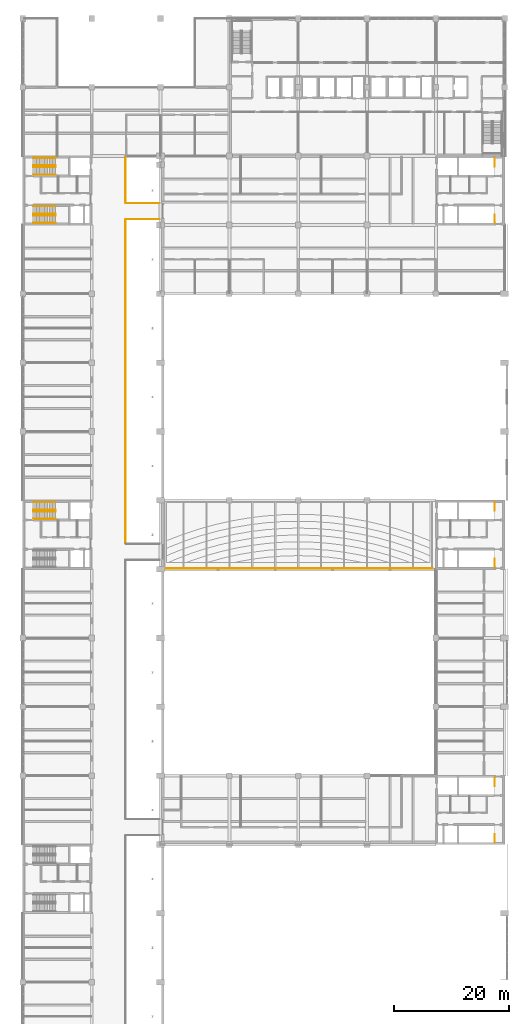
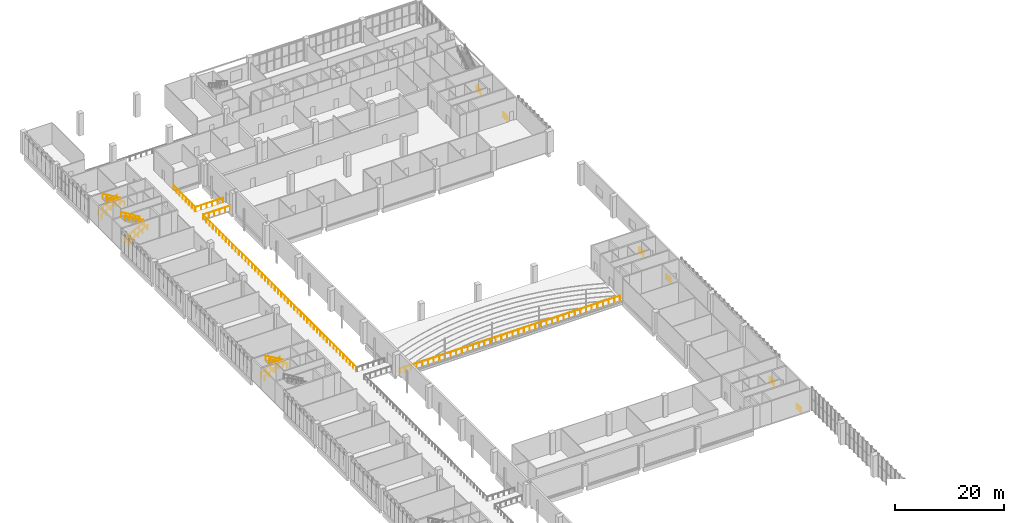
# One storey, part 68 of 69: 23 railings.
"""IFC4 building model written with IfcOpenShell, lengths in metres."""

from ifc_helpers import new_model, si_unit, direction, frame, origin, origin_2d, place, context, subcontext, project, spatial, circle, extrude, material, constituent, constituent_set, type_object, element, save


model = new_model("IFC4")

# Units and contexts
model_context = context("Model", 3, precision=1e-05, world=origin(), true_north=direction((0.0, 1.0)))
body_context = subcontext(model_context, "Body", "Model", "MODEL_VIEW")
ifc_project = project(units=[si_unit("LENGTHUNIT", "METRE"), si_unit("AREAUNIT", "SQUARE_METRE"), si_unit("VOLUMEUNIT", "CUBIC_METRE"), si_unit("PLANEANGLEUNIT", "RADIAN"), si_unit("MASSUNIT", "GRAM", prefix="KILO")], contexts=[model_context])

# Site, building, storey
site_placement = place(None, origin())
site = spatial("IfcSite", under=ifc_project, at=site_placement, CompositionType="ELEMENT")
building_placement = place(site_placement, origin())
building = spatial("IfcBuilding", under=site, at=building_placement, Name="Lilac Gate Convention Centre", CompositionType="ELEMENT")
storey_placement = place(building_placement, frame((0.0, 0.0, 12.0)))
storey = spatial("IfcBuildingStorey", under=building, at=storey_placement, Name="L02", CompositionType="ELEMENT", Elevation=12.0)

# Railings
ifc_material_1 = material(Name="Steel Q355B", Category="steel")
railing_type_1 = type_object("IfcRailingType", Name="Balcony guard 1100", PredefinedType="GUARDRAIL", material=ifc_material_1)
railing_1_placement = place(storey_placement, frame((30.60009765625, 150.10009765625, 0.0)))
element("IfcRailing", 1, at=railing_1_placement, inside=storey, type_object=railing_type_1, Name="GD2 L02 balcony front guard", PredefinedType="GUARDRAIL", context=body_context, shape_type="SweptSolid", body=[
    extrude(circle(Radius=0.02392578125, at=origin_2d()), frame((0.0, 0.0, 1.076171875), z_axis=(1.0, 0.0, 0.0), x_axis=(0.0, 1.0, 0.0)), (0.0, 0.0, 1.0), 46.7998046875),
    extrude(circle(Radius=0.02099609375, at=origin_2d()), origin(), (0.0, 0.0, 1.0), 1.052001953125),
    extrude(circle(Radius=0.02099609375, at=origin_2d()), frame((1.199951171875, 0.0, 0.0)), (0.0, 0.0, 1.0), 1.052001953125),
    extrude(circle(Radius=0.02099609375, at=origin_2d()), frame((2.39990234375, 0.0, 0.0)), (0.0, 0.0, 1.0), 1.052001953125),
    extrude(circle(Radius=0.02099609375, at=origin_2d()), frame((3.60009765625, 0.0, 0.0)), (0.0, 0.0, 1.0), 1.052001953125),
    extrude(circle(Radius=0.02099609375, at=origin_2d()), frame((4.800048828125, 0.0, 0.0)), (0.0, 0.0, 1.0), 1.052001953125),
    extrude(circle(Radius=0.02099609375, at=origin_2d()), frame((6.0, 0.0, 0.0)), (0.0, 0.0, 1.0), 1.052001953125),
    extrude(circle(Radius=0.02099609375, at=origin_2d()), frame((7.199951171875, 0.0, 0.0)), (0.0, 0.0, 1.0), 1.052001953125),
    extrude(circle(Radius=0.02099609375, at=origin_2d()), frame((8.39990234375, 0.0, 0.0)), (0.0, 0.0, 1.0), 1.052001953125),
    extrude(circle(Radius=0.02099609375, at=origin_2d()), frame((9.599853515625, 0.0, 0.0)), (0.0, 0.0, 1.0), 1.052001953125),
    extrude(circle(Radius=0.02099609375, at=origin_2d()), frame((10.800048828125, 0.0, 0.0)), (0.0, 0.0, 1.0), 1.052001953125),
    extrude(circle(Radius=0.02099609375, at=origin_2d()), frame((12.0, 0.0, 0.0)), (0.0, 0.0, 1.0), 1.052001953125),
    extrude(circle(Radius=0.02099609375, at=origin_2d()), frame((13.199951171875, 0.0, 0.0)), (0.0, 0.0, 1.0), 1.052001953125),
    extrude(circle(Radius=0.02099609375, at=origin_2d()), frame((14.39990234375, 0.0, 0.0)), (0.0, 0.0, 1.0), 1.052001953125),
    extrude(circle(Radius=0.02099609375, at=origin_2d()), frame((15.599853515625, 0.0, 0.0)), (0.0, 0.0, 1.0), 1.052001953125),
    extrude(circle(Radius=0.02099609375, at=origin_2d()), frame((16.800048828125, 0.0, 0.0)), (0.0, 0.0, 1.0), 1.052001953125),
    extrude(circle(Radius=0.02099609375, at=origin_2d()), frame((18.0, 0.0, 0.0)), (0.0, 0.0, 1.0), 1.052001953125),
    extrude(circle(Radius=0.02099609375, at=origin_2d()), frame((19.199951171875, 0.0, 0.0)), (0.0, 0.0, 1.0), 1.052001953125),
    extrude(circle(Radius=0.02099609375, at=origin_2d()), frame((20.39990234375, 0.0, 0.0)), (0.0, 0.0, 1.0), 1.052001953125),
    extrude(circle(Radius=0.02099609375, at=origin_2d()), frame((21.599853515625, 0.0, 0.0)), (0.0, 0.0, 1.0), 1.052001953125),
    extrude(circle(Radius=0.02099609375, at=origin_2d()), frame((22.7998046875, 0.0, 0.0)), (0.0, 0.0, 1.0), 1.052001953125),
    extrude(circle(Radius=0.02099609375, at=origin_2d()), frame((24.0, 0.0, 0.0)), (0.0, 0.0, 1.0), 1.052001953125),
    extrude(circle(Radius=0.02099609375, at=origin_2d()), frame((25.199951171875, 0.0, 0.0)), (0.0, 0.0, 1.0), 1.052001953125),
    extrude(circle(Radius=0.02099609375, at=origin_2d()), frame((26.39990234375, 0.0, 0.0)), (0.0, 0.0, 1.0), 1.052001953125),
    extrude(circle(Radius=0.02099609375, at=origin_2d()), frame((27.599853515625, 0.0, 0.0)), (0.0, 0.0, 1.0), 1.052001953125),
    extrude(circle(Radius=0.02099609375, at=origin_2d()), frame((28.7998046875, 0.0, 0.0)), (0.0, 0.0, 1.0), 1.052001953125),
    extrude(circle(Radius=0.02099609375, at=origin_2d()), frame((29.999755859375, 0.0, 0.0)), (0.0, 0.0, 1.0), 1.052001953125),
    extrude(circle(Radius=0.02099609375, at=origin_2d()), frame((31.199951171875, 0.0, 0.0)), (0.0, 0.0, 1.0), 1.052001953125),
    extrude(circle(Radius=0.02099609375, at=origin_2d()), frame((32.39990234375, 0.0, 0.0)), (0.0, 0.0, 1.0), 1.052001953125),
    extrude(circle(Radius=0.02099609375, at=origin_2d()), frame((33.599853515625, 0.0, 0.0)), (0.0, 0.0, 1.0), 1.052001953125),
    extrude(circle(Radius=0.02099609375, at=origin_2d()), frame((34.7998046875, 0.0, 0.0)), (0.0, 0.0, 1.0), 1.052001953125),
    extrude(circle(Radius=0.02099609375, at=origin_2d()), frame((35.999755859375, 0.0, 0.0)), (0.0, 0.0, 1.0), 1.052001953125),
    extrude(circle(Radius=0.02099609375, at=origin_2d()), frame((37.199951171875, 0.0, 0.0)), (0.0, 0.0, 1.0), 1.052001953125),
    extrude(circle(Radius=0.02099609375, at=origin_2d()), frame((38.39990234375, 0.0, 0.0)), (0.0, 0.0, 1.0), 1.052001953125),
    extrude(circle(Radius=0.02099609375, at=origin_2d()), frame((39.599853515625, 0.0, 0.0)), (0.0, 0.0, 1.0), 1.052001953125),
    extrude(circle(Radius=0.02099609375, at=origin_2d()), frame((40.7998046875, 0.0, 0.0)), (0.0, 0.0, 1.0), 1.052001953125),
    extrude(circle(Radius=0.02099609375, at=origin_2d()), frame((41.999755859375, 0.0, 0.0)), (0.0, 0.0, 1.0), 1.052001953125),
    extrude(circle(Radius=0.02099609375, at=origin_2d()), frame((43.19970703125, 0.0, 0.0)), (0.0, 0.0, 1.0), 1.052001953125),
    extrude(circle(Radius=0.02099609375, at=origin_2d()), frame((44.39990234375, 0.0, 0.0)), (0.0, 0.0, 1.0), 1.052001953125),
    extrude(circle(Radius=0.02099609375, at=origin_2d()), frame((45.599853515625, 0.0, 0.0)), (0.0, 0.0, 1.0), 1.052001953125),
    extrude(circle(Radius=0.02099609375, at=origin_2d()), frame((46.7998046875, 0.0, 0.0)), (0.0, 0.0, 1.0), 1.052001953125),
])
ifc_material_2 = material(Name="Steel Q235B", Category="steel")
ifc_constituent_1 = constituent(ifc_material_2, Name="Frame")
ifc_material_3 = material(Name="Safety glass, bonded interlayer", Category="glass")
ifc_constituent_2 = constituent(ifc_material_3, Name="Infill")
ifc_constituent_set = constituent_set(constituents=[ifc_constituent_1, ifc_constituent_2], Name="Steel Q235B, Safety glass, bonded interlayer")
railing_type_2 = type_object("IfcRailingType", Name="Guard 1100 steel and glass", PredefinedType="GUARDRAIL", material=ifc_constituent_set)
for number, where, name in (
    (2, (88.25, 102.300048828125, 0.0), "Stairwell guard E1A"),
    (3, (88.25, 112.199951171875, 0.0), "Stairwell guard E1B"),
    (4, (88.25, 150.300048828125, 0.0), "Stairwell guard E2A"),
    (5, (88.25, 160.199951171875, 0.0), "Stairwell guard E2B"),
    (6, (88.25, 210.300048828125, 0.0), "Stairwell guard E4A"),
    (7, (88.25, 220.199951171875, 0.0), "Stairwell guard E4B"),
):
    element("IfcRailing", number, at=place(storey_placement, frame(where)), inside=storey, type_object=railing_type_2, Name=name, PredefinedType="GUARDRAIL", context=body_context, shape_type="SweptSolid", body=[
        extrude(circle(Radius=0.02392578125, at=origin_2d()), frame((0.0, 0.0, 1.076171875), z_axis=(0.0, 1.0, 0.0), x_axis=(-1.0, 0.0, 0.0)), (0.0, 0.0, 1.0), 1.5),
        extrude(circle(Radius=0.02099609375, at=origin_2d()), origin(), (0.0, 0.0, 1.0), 1.052001953125),
        extrude(circle(Radius=0.02099609375, at=origin_2d()), frame((0.0, 0.75, 0.0)), (0.0, 0.0, 1.0), 1.052001953125),
        extrude(circle(Radius=0.02099609375, at=origin_2d()), frame((0.0, 1.5, 0.0)), (0.0, 0.0, 1.0), 1.052001953125),
    ])
railing_2_placement = place(storey_placement, frame((23.89990234375, 154.5, 0.0)))
element("IfcRailing", 8, at=railing_2_placement, inside=storey, type_object=railing_type_2, Name="Gallery guard L02", PredefinedType="GUARDRAIL", context=body_context, shape_type="SweptSolid", body=[
    extrude(circle(Radius=0.02392578125, at=origin_2d()), frame((0.0, 0.0, 1.076171875), z_axis=(0.0, 1.0, 0.0), x_axis=(-1.0, 0.0, 0.0)), (0.0, 0.0, 1.0), 56.39990234375),
    extrude(circle(Radius=0.02099609375, at=origin_2d()), origin(), (0.0, 0.0, 1.0), 1.052001953125),
    extrude(circle(Radius=0.02099609375, at=origin_2d()), frame((0.0, 1.199951171875, 0.0)), (0.0, 0.0, 1.0), 1.052001953125),
    extrude(circle(Radius=0.02099609375, at=origin_2d()), frame((0.0, 2.39990234375, 0.0)), (0.0, 0.0, 1.0), 1.052001953125),
    extrude(circle(Radius=0.02099609375, at=origin_2d()), frame((0.0, 3.60009765625, 0.0)), (0.0, 0.0, 1.0), 1.052001953125),
    extrude(circle(Radius=0.02099609375, at=origin_2d()), frame((0.0, 4.800048828125, 0.0)), (0.0, 0.0, 1.0), 1.052001953125),
    extrude(circle(Radius=0.02099609375, at=origin_2d()), frame((0.0, 6.0, 0.0)), (0.0, 0.0, 1.0), 1.052001953125),
    extrude(circle(Radius=0.02099609375, at=origin_2d()), frame((0.0, 7.199951171875, 0.0)), (0.0, 0.0, 1.0), 1.052001953125),
    extrude(circle(Radius=0.02099609375, at=origin_2d()), frame((0.0, 8.39990234375, 0.0)), (0.0, 0.0, 1.0), 1.052001953125),
    extrude(circle(Radius=0.02099609375, at=origin_2d()), frame((0.0, 9.60009765625, 0.0)), (0.0, 0.0, 1.0), 1.052001953125),
    extrude(circle(Radius=0.02099609375, at=origin_2d()), frame((0.0, 10.800048828125, 0.0)), (0.0, 0.0, 1.0), 1.052001953125),
    extrude(circle(Radius=0.02099609375, at=origin_2d()), frame((0.0, 12.0, 0.0)), (0.0, 0.0, 1.0), 1.052001953125),
    extrude(circle(Radius=0.02099609375, at=origin_2d()), frame((0.0, 13.199951171875, 0.0)), (0.0, 0.0, 1.0), 1.052001953125),
    extrude(circle(Radius=0.02099609375, at=origin_2d()), frame((0.0, 14.39990234375, 0.0)), (0.0, 0.0, 1.0), 1.052001953125),
    extrude(circle(Radius=0.02099609375, at=origin_2d()), frame((0.0, 15.599853515625, 0.0)), (0.0, 0.0, 1.0), 1.052001953125),
    extrude(circle(Radius=0.02099609375, at=origin_2d()), frame((0.0, 16.800048828125, 0.0)), (0.0, 0.0, 1.0), 1.052001953125),
    extrude(circle(Radius=0.02099609375, at=origin_2d()), frame((0.0, 18.0, 0.0)), (0.0, 0.0, 1.0), 1.052001953125),
    extrude(circle(Radius=0.02099609375, at=origin_2d()), frame((0.0, 19.199951171875, 0.0)), (0.0, 0.0, 1.0), 1.052001953125),
    extrude(circle(Radius=0.02099609375, at=origin_2d()), frame((0.0, 20.39990234375, 0.0)), (0.0, 0.0, 1.0), 1.052001953125),
    extrude(circle(Radius=0.02099609375, at=origin_2d()), frame((0.0, 21.599853515625, 0.0)), (0.0, 0.0, 1.0), 1.052001953125),
    extrude(circle(Radius=0.02099609375, at=origin_2d()), frame((0.0, 22.800048828125, 0.0)), (0.0, 0.0, 1.0), 1.052001953125),
    extrude(circle(Radius=0.02099609375, at=origin_2d()), frame((0.0, 24.0, 0.0)), (0.0, 0.0, 1.0), 1.052001953125),
    extrude(circle(Radius=0.02099609375, at=origin_2d()), frame((0.0, 25.199951171875, 0.0)), (0.0, 0.0, 1.0), 1.052001953125),
    extrude(circle(Radius=0.02099609375, at=origin_2d()), frame((0.0, 26.39990234375, 0.0)), (0.0, 0.0, 1.0), 1.052001953125),
    extrude(circle(Radius=0.02099609375, at=origin_2d()), frame((0.0, 27.599853515625, 0.0)), (0.0, 0.0, 1.0), 1.052001953125),
    extrude(circle(Radius=0.02099609375, at=origin_2d()), frame((0.0, 28.800048828125, 0.0)), (0.0, 0.0, 1.0), 1.052001953125),
    extrude(circle(Radius=0.02099609375, at=origin_2d()), frame((0.0, 30.0, 0.0)), (0.0, 0.0, 1.0), 1.052001953125),
    extrude(circle(Radius=0.02099609375, at=origin_2d()), frame((0.0, 31.199951171875, 0.0)), (0.0, 0.0, 1.0), 1.052001953125),
    extrude(circle(Radius=0.02099609375, at=origin_2d()), frame((0.0, 32.39990234375, 0.0)), (0.0, 0.0, 1.0), 1.052001953125),
    extrude(circle(Radius=0.02099609375, at=origin_2d()), frame((0.0, 33.599853515625, 0.0)), (0.0, 0.0, 1.0), 1.052001953125),
    extrude(circle(Radius=0.02099609375, at=origin_2d()), frame((0.0, 34.800048828125, 0.0)), (0.0, 0.0, 1.0), 1.052001953125),
    extrude(circle(Radius=0.02099609375, at=origin_2d()), frame((0.0, 36.0, 0.0)), (0.0, 0.0, 1.0), 1.052001953125),
    extrude(circle(Radius=0.02099609375, at=origin_2d()), frame((0.0, 37.199951171875, 0.0)), (0.0, 0.0, 1.0), 1.052001953125),
    extrude(circle(Radius=0.02099609375, at=origin_2d()), frame((0.0, 38.39990234375, 0.0)), (0.0, 0.0, 1.0), 1.052001953125),
    extrude(circle(Radius=0.02099609375, at=origin_2d()), frame((0.0, 39.599853515625, 0.0)), (0.0, 0.0, 1.0), 1.052001953125),
    extrude(circle(Radius=0.02099609375, at=origin_2d()), frame((0.0, 40.800048828125, 0.0)), (0.0, 0.0, 1.0), 1.052001953125),
    extrude(circle(Radius=0.02099609375, at=origin_2d()), frame((0.0, 42.0, 0.0)), (0.0, 0.0, 1.0), 1.052001953125),
    extrude(circle(Radius=0.02099609375, at=origin_2d()), frame((0.0, 43.199951171875, 0.0)), (0.0, 0.0, 1.0), 1.052001953125),
    extrude(circle(Radius=0.02099609375, at=origin_2d()), frame((0.0, 44.39990234375, 0.0)), (0.0, 0.0, 1.0), 1.052001953125),
    extrude(circle(Radius=0.02099609375, at=origin_2d()), frame((0.0, 45.599853515625, 0.0)), (0.0, 0.0, 1.0), 1.052001953125),
    extrude(circle(Radius=0.02099609375, at=origin_2d()), frame((0.0, 46.7998046875, 0.0)), (0.0, 0.0, 1.0), 1.052001953125),
    extrude(circle(Radius=0.02099609375, at=origin_2d()), frame((0.0, 48.0, 0.0)), (0.0, 0.0, 1.0), 1.052001953125),
    extrude(circle(Radius=0.02099609375, at=origin_2d()), frame((0.0, 49.199951171875, 0.0)), (0.0, 0.0, 1.0), 1.052001953125),
    extrude(circle(Radius=0.02099609375, at=origin_2d()), frame((0.0, 50.39990234375, 0.0)), (0.0, 0.0, 1.0), 1.052001953125),
    extrude(circle(Radius=0.02099609375, at=origin_2d()), frame((0.0, 51.599853515625, 0.0)), (0.0, 0.0, 1.0), 1.052001953125),
    extrude(circle(Radius=0.02099609375, at=origin_2d()), frame((0.0, 52.7998046875, 0.0)), (0.0, 0.0, 1.0), 1.052001953125),
    extrude(circle(Radius=0.02099609375, at=origin_2d()), frame((0.0, 54.0, 0.0)), (0.0, 0.0, 1.0), 1.052001953125),
    extrude(circle(Radius=0.02099609375, at=origin_2d()), frame((0.0, 55.199951171875, 0.0)), (0.0, 0.0, 1.0), 1.052001953125),
    extrude(circle(Radius=0.02099609375, at=origin_2d()), frame((0.0, 56.39990234375, 0.0)), (0.0, 0.0, 1.0), 1.052001953125),
])
railing_3_placement = place(storey_placement, frame((23.89990234375, 213.89990234375, 0.0)))
element("IfcRailing", 9, at=railing_3_placement, inside=storey, type_object=railing_type_2, Name="Gallery guard L02", PredefinedType="GUARDRAIL", context=body_context, shape_type="SweptSolid", body=[
    extrude(circle(Radius=0.02392578125, at=origin_2d()), frame((0.0, 0.0, 1.076171875), z_axis=(0.0, 1.0, 0.0), x_axis=(-1.0, 0.0, 0.0)), (0.0, 0.0, 1.0), 7.900146484375),
    extrude(circle(Radius=0.02099609375, at=origin_2d()), origin(), (0.0, 0.0, 1.0), 1.052001953125),
    extrude(circle(Radius=0.02099609375, at=origin_2d()), frame((0.0, 1.128662109375, 0.0)), (0.0, 0.0, 1.0), 1.052001953125),
    extrude(circle(Radius=0.02099609375, at=origin_2d()), frame((0.0, 2.257080078125, 0.0)), (0.0, 0.0, 1.0), 1.052001953125),
    extrude(circle(Radius=0.02099609375, at=origin_2d()), frame((0.0, 3.3857421875, 0.0)), (0.0, 0.0, 1.0), 1.052001953125),
    extrude(circle(Radius=0.02099609375, at=origin_2d()), frame((0.0, 4.514404296875, 0.0)), (0.0, 0.0, 1.0), 1.052001953125),
    extrude(circle(Radius=0.02099609375, at=origin_2d()), frame((0.0, 5.64306640625, 0.0)), (0.0, 0.0, 1.0), 1.052001953125),
    extrude(circle(Radius=0.02099609375, at=origin_2d()), frame((0.0, 6.771484375, 0.0)), (0.0, 0.0, 1.0), 1.052001953125),
    extrude(circle(Radius=0.02099609375, at=origin_2d()), frame((0.0, 7.900146484375, 0.0)), (0.0, 0.0, 1.0), 1.052001953125),
])
for number, where, name in (
    (10, (24.0, 211.0, 0.0), "Bridge guard L02"),
    (11, (24.0, 213.800048828125, 0.0), "Bridge guard L02"),
):
    element("IfcRailing", number, at=place(storey_placement, frame(where)), inside=storey, type_object=railing_type_2, Name=name, PredefinedType="GUARDRAIL", context=body_context, shape_type="SweptSolid", body=[
        extrude(circle(Radius=0.02392578125, at=origin_2d()), frame((0.0, 0.0, 1.076171875), z_axis=(1.0, 0.0, 0.0), x_axis=(0.0, 1.0, 0.0)), (0.0, 0.0, 1.0), 5.800048828125),
        extrude(circle(Radius=0.02099609375, at=origin_2d()), origin(), (0.0, 0.0, 1.0), 1.052001953125),
        extrude(circle(Radius=0.02099609375, at=origin_2d()), frame((1.159912109375, 0.0, 0.0)), (0.0, 0.0, 1.0), 1.052001953125),
        extrude(circle(Radius=0.02099609375, at=origin_2d()), frame((2.320068359375, 0.0, 0.0)), (0.0, 0.0, 1.0), 1.052001953125),
        extrude(circle(Radius=0.02099609375, at=origin_2d()), frame((3.47998046875, 0.0, 0.0)), (0.0, 0.0, 1.0), 1.052001953125),
        extrude(circle(Radius=0.02099609375, at=origin_2d()), frame((4.64013671875, 0.0, 0.0)), (0.0, 0.0, 1.0), 1.052001953125),
        extrude(circle(Radius=0.02099609375, at=origin_2d()), frame((5.800048828125, 0.0, 0.0)), (0.0, 0.0, 1.0), 1.052001953125),
    ])
ifc_material_4 = material(Name="Stainless steel 304", Category="steel")
railing_type_3 = type_object("IfcRailingType", Name="Stair handrail 900", PredefinedType="HANDRAIL", material=ifc_material_4)
for number, where, name in (
    (12, (7.800048828125, 160.35009765625, 0.166748046875), "Stair handrail W3B"),
    (13, (7.800048828125, 161.64990234375, 0.166748046875), "Stair handrail W3B"),
):
    element("IfcRailing", number, at=place(storey_placement, frame(where)), inside=storey, type_object=railing_type_3, Name=name, PredefinedType="HANDRAIL", context=body_context, shape_type="SweptSolid", body=[
        extrude(circle(Radius=0.02392578125, at=origin_2d()), frame((0.0, 0.0, 0.8759765625), z_axis=(0.859296244711, 0.0, 0.511478214419), x_axis=(0.0, 1.0, 0.0)), (0.0, 0.0, 1.0), 4.561767578125),
        extrude(circle(Radius=0.02099609375, at=origin_2d()), origin(), (0.0, 0.0, 1.0), 0.851806640625),
        extrude(circle(Radius=0.02099609375, at=origin_2d()), frame((0.97998046875, 0.0, 0.583251953125)), (0.0, 0.0, 1.0), 0.851806640625),
        extrude(circle(Radius=0.02099609375, at=origin_2d()), frame((1.9599609375, 0.0, 1.16650390625)), (0.0, 0.0, 1.0), 0.851806640625),
        extrude(circle(Radius=0.02099609375, at=origin_2d()), frame((2.93994140625, 0.0, 1.75)), (0.0, 0.0, 1.0), 0.851806640625),
        extrude(circle(Radius=0.02099609375, at=origin_2d()), frame((3.919921875, 0.0, 2.333251953125)), (0.0, 0.0, 1.0), 0.851806640625),
    ])
for number, where, name in (
    (14, (11.719970703125, 158.75, 2.666748046875), "Stair handrail W3B"),
    (15, (11.719970703125, 160.050048828125, 2.666748046875), "Stair handrail W3B"),
):
    element("IfcRailing", number, at=place(storey_placement, frame(where)), inside=storey, type_object=railing_type_3, Name=name, PredefinedType="HANDRAIL", context=body_context, shape_type="SweptSolid", body=[
        extrude(circle(Radius=0.02392578125, at=origin_2d()), frame((0.0, 0.0, 0.8759765625), z_axis=(-0.859296244711, 0.0, 0.511478214419), x_axis=(0.0, -1.0, 0.0)), (0.0, 0.0, 1.0), 4.561767578125),
        extrude(circle(Radius=0.02099609375, at=origin_2d()), origin(), (0.0, 0.0, 1.0), 0.851806640625),
        extrude(circle(Radius=0.02099609375, at=origin_2d()), frame((-0.97998046875, 0.0, 0.583251953125)), (0.0, 0.0, 1.0), 0.851806640625),
        extrude(circle(Radius=0.02099609375, at=origin_2d()), frame((-1.9599609375, 0.0, 1.16650390625)), (0.0, 0.0, 1.0), 0.851806640625),
        extrude(circle(Radius=0.02099609375, at=origin_2d()), frame((-2.93994140625, 0.0, 1.75)), (0.0, 0.0, 1.0), 0.851806640625),
        extrude(circle(Radius=0.02099609375, at=origin_2d()), frame((-3.919921875, 0.0, 2.333251953125)), (0.0, 0.0, 1.0), 0.851806640625),
    ])
for number, where, name in (
    (16, (7.800048828125, 210.35009765625, 0.166748046875), "Stair handrail W4A"),
    (17, (7.800048828125, 211.64990234375, 0.166748046875), "Stair handrail W4A"),
):
    element("IfcRailing", number, at=place(storey_placement, frame(where)), inside=storey, type_object=railing_type_3, Name=name, PredefinedType="HANDRAIL", context=body_context, shape_type="SweptSolid", body=[
        extrude(circle(Radius=0.02392578125, at=origin_2d()), frame((0.0, 0.0, 0.8759765625), z_axis=(0.859296244711, 0.0, 0.511478214419), x_axis=(0.0, 1.0, 0.0)), (0.0, 0.0, 1.0), 4.561767578125),
        extrude(circle(Radius=0.02099609375, at=origin_2d()), origin(), (0.0, 0.0, 1.0), 0.851806640625),
        extrude(circle(Radius=0.02099609375, at=origin_2d()), frame((0.97998046875, 0.0, 0.583251953125)), (0.0, 0.0, 1.0), 0.851806640625),
        extrude(circle(Radius=0.02099609375, at=origin_2d()), frame((1.9599609375, 0.0, 1.16650390625)), (0.0, 0.0, 1.0), 0.851806640625),
        extrude(circle(Radius=0.02099609375, at=origin_2d()), frame((2.93994140625, 0.0, 1.75)), (0.0, 0.0, 1.0), 0.851806640625),
        extrude(circle(Radius=0.02099609375, at=origin_2d()), frame((3.919921875, 0.0, 2.333251953125)), (0.0, 0.0, 1.0), 0.851806640625),
    ])
for number, where, name in (
    (18, (11.719970703125, 211.949951171875, 2.666748046875), "Stair handrail W4A"),
    (19, (11.719970703125, 213.25, 2.666748046875), "Stair handrail W4A"),
):
    element("IfcRailing", number, at=place(storey_placement, frame(where)), inside=storey, type_object=railing_type_3, Name=name, PredefinedType="HANDRAIL", context=body_context, shape_type="SweptSolid", body=[
        extrude(circle(Radius=0.02392578125, at=origin_2d()), frame((0.0, 0.0, 0.8759765625), z_axis=(-0.859296244711, 0.0, 0.511478214419), x_axis=(0.0, -1.0, 0.0)), (0.0, 0.0, 1.0), 4.561767578125),
        extrude(circle(Radius=0.02099609375, at=origin_2d()), origin(), (0.0, 0.0, 1.0), 0.851806640625),
        extrude(circle(Radius=0.02099609375, at=origin_2d()), frame((-0.97998046875, 0.0, 0.583251953125)), (0.0, 0.0, 1.0), 0.851806640625),
        extrude(circle(Radius=0.02099609375, at=origin_2d()), frame((-1.9599609375, 0.0, 1.16650390625)), (0.0, 0.0, 1.0), 0.851806640625),
        extrude(circle(Radius=0.02099609375, at=origin_2d()), frame((-2.93994140625, 0.0, 1.75)), (0.0, 0.0, 1.0), 0.851806640625),
        extrude(circle(Radius=0.02099609375, at=origin_2d()), frame((-3.919921875, 0.0, 2.333251953125)), (0.0, 0.0, 1.0), 0.851806640625),
    ])
for number, where, name in (
    (20, (7.800048828125, 220.35009765625, 0.166748046875), "Stair handrail W4B"),
    (21, (7.800048828125, 221.64990234375, 0.166748046875), "Stair handrail W4B"),
):
    element("IfcRailing", number, at=place(storey_placement, frame(where)), inside=storey, type_object=railing_type_3, Name=name, PredefinedType="HANDRAIL", context=body_context, shape_type="SweptSolid", body=[
        extrude(circle(Radius=0.02392578125, at=origin_2d()), frame((0.0, 0.0, 0.8759765625), z_axis=(0.859296244711, 0.0, 0.511478214419), x_axis=(0.0, 1.0, 0.0)), (0.0, 0.0, 1.0), 4.561767578125),
        extrude(circle(Radius=0.02099609375, at=origin_2d()), origin(), (0.0, 0.0, 1.0), 0.851806640625),
        extrude(circle(Radius=0.02099609375, at=origin_2d()), frame((0.97998046875, 0.0, 0.583251953125)), (0.0, 0.0, 1.0), 0.851806640625),
        extrude(circle(Radius=0.02099609375, at=origin_2d()), frame((1.9599609375, 0.0, 1.16650390625)), (0.0, 0.0, 1.0), 0.851806640625),
        extrude(circle(Radius=0.02099609375, at=origin_2d()), frame((2.93994140625, 0.0, 1.75)), (0.0, 0.0, 1.0), 0.851806640625),
        extrude(circle(Radius=0.02099609375, at=origin_2d()), frame((3.919921875, 0.0, 2.333251953125)), (0.0, 0.0, 1.0), 0.851806640625),
    ])
for number, where, name in (
    (22, (11.719970703125, 218.75, 2.666748046875), "Stair handrail W4B"),
    (23, (11.719970703125, 220.050048828125, 2.666748046875), "Stair handrail W4B"),
):
    element("IfcRailing", number, at=place(storey_placement, frame(where)), inside=storey, type_object=railing_type_3, Name=name, PredefinedType="HANDRAIL", context=body_context, shape_type="SweptSolid", body=[
        extrude(circle(Radius=0.02392578125, at=origin_2d()), frame((0.0, 0.0, 0.8759765625), z_axis=(-0.859296244711, 0.0, 0.511478214419), x_axis=(0.0, -1.0, 0.0)), (0.0, 0.0, 1.0), 4.561767578125),
        extrude(circle(Radius=0.02099609375, at=origin_2d()), origin(), (0.0, 0.0, 1.0), 0.851806640625),
        extrude(circle(Radius=0.02099609375, at=origin_2d()), frame((-0.97998046875, 0.0, 0.583251953125)), (0.0, 0.0, 1.0), 0.851806640625),
        extrude(circle(Radius=0.02099609375, at=origin_2d()), frame((-1.9599609375, 0.0, 1.16650390625)), (0.0, 0.0, 1.0), 0.851806640625),
        extrude(circle(Radius=0.02099609375, at=origin_2d()), frame((-2.93994140625, 0.0, 1.75)), (0.0, 0.0, 1.0), 0.851806640625),
        extrude(circle(Radius=0.02099609375, at=origin_2d()), frame((-3.919921875, 0.0, 2.333251953125)), (0.0, 0.0, 1.0), 0.851806640625),
    ])

save(model, "model.ifc")
